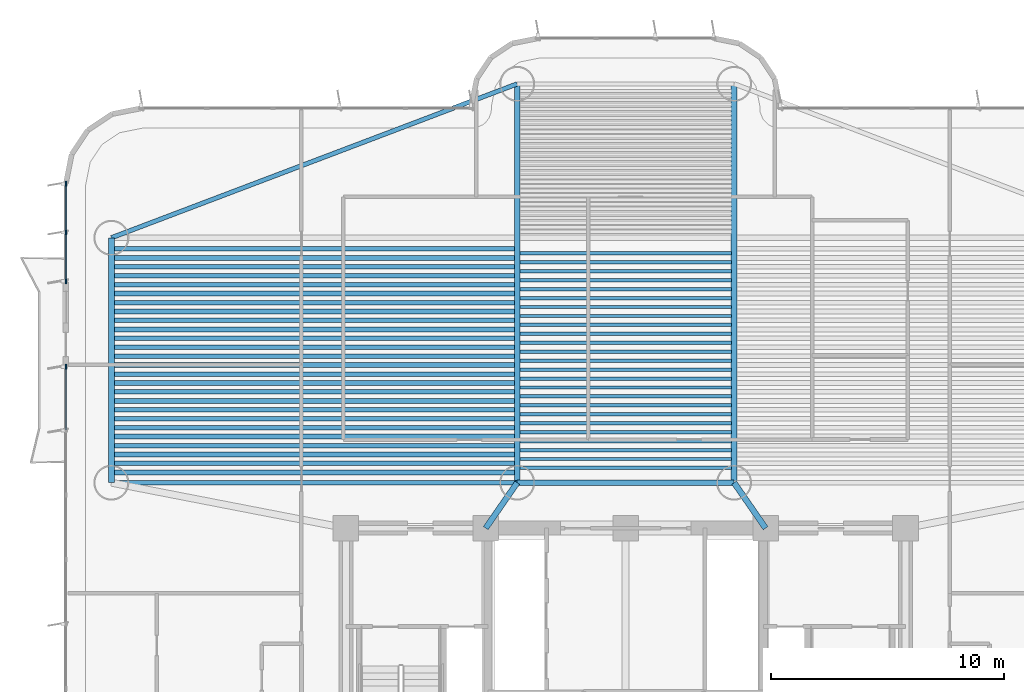
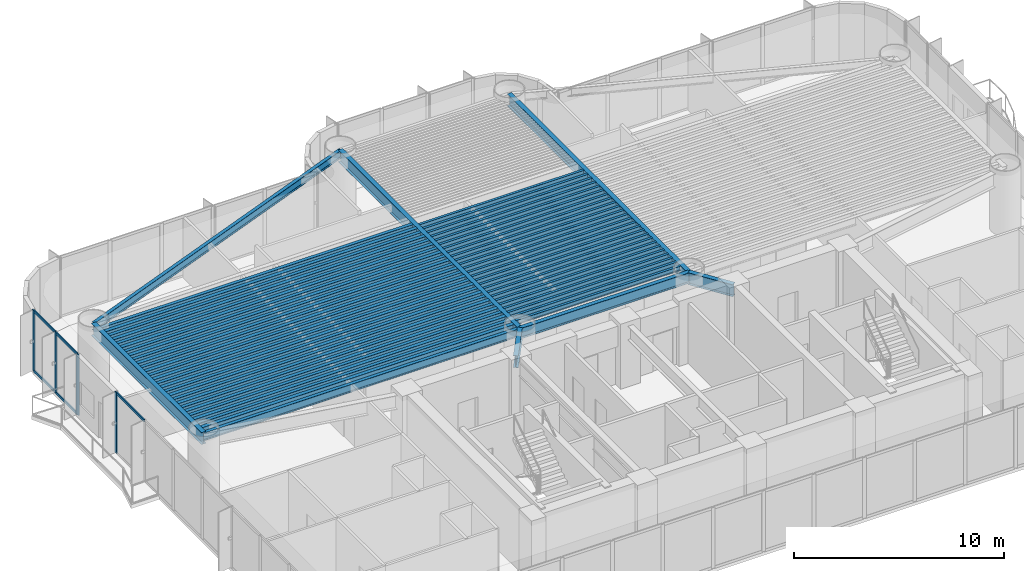
# One storey, part 3 of 17: 59 beams, 9 members, 2 elements without a shape of their own.
"""IFC4 building model written with IfcOpenShell, lengths in metres."""

from ifc_helpers import new_model, si_unit, direction, frame, origin, origin_2d, place, context, subcontext, project, spatial, rectangle, i_section, extrude, source, transform, mapped, material, layer, layer_set, material_profile, profile_set, type_object, element, aggregate, save


model = new_model("IFC4")

# Units and contexts
model_context = context("Model", 3, precision=1e-05, world=origin(), true_north=direction((0.0, 1.0)))
body_context = subcontext(model_context, "Body", "Model", "MODEL_VIEW")
ifc_project = project(units=[si_unit("LENGTHUNIT", "METRE"), si_unit("AREAUNIT", "SQUARE_METRE"), si_unit("VOLUMEUNIT", "CUBIC_METRE"), si_unit("PLANEANGLEUNIT", "RADIAN"), si_unit("MASSUNIT", "GRAM", prefix="KILO")], contexts=[model_context])

# Site, building, storey
site_placement = place(None, origin())
site = spatial("IfcSite", under=ifc_project, at=site_placement, CompositionType="ELEMENT")
building_placement = place(site_placement, origin())
building = spatial("IfcBuilding", under=site, at=building_placement, Name="Brelvock Crest Care Tower", CompositionType="ELEMENT")
storey_placement = place(building_placement, frame((0.0, 0.0, 49.679931640625)))
storey = spatial("IfcBuildingStorey", under=building, at=storey_placement, Name="L12", CompositionType="ELEMENT", Elevation=49.679931640625)

# Beams
ifc_material_1 = material(Name="Steel Grade 350", Category="steel")
ifc_material_profile_1 = material_profile(ifc_material_1, i_section(OverallWidth=0.25, OverallDepth=0.699951171875, WebThickness=0.011962890625, FlangeThickness=0.02001953125, at=origin_2d()), Name="700WB150")
ifc_profile_set_1 = profile_set([ifc_material_profile_1], Name="Steel Grade 350")
beam_type_1 = type_object("IfcBeamType", Name="BM-G4", PredefinedType="BEAM", material=ifc_profile_set_1)
shared_shape_1 = source(origin(), body_context, "Body", "SweptSolid", [
    extrude(i_section(OverallWidth=0.25, OverallDepth=0.699951171875, WebThickness=0.011962890625, FlangeThickness=0.02001953125, at=origin_2d()), origin(), (0.0, 0.0, 1.0), 10.5),
])
beam_1_placement = place(storey_placement, frame((13.949951171875, 19.949951171875, 3.18017578125), z_axis=(0.0, 1.0, 0.0), x_axis=(-1.0, 0.0, 0.0)))
element("IfcBeam", 1, at=beam_1_placement, inside=storey, type_object=beam_type_1, Name="BM-TWR-L12-01", PredefinedType="BEAM", context=body_context, shape_type="MappedRepresentation", body=[
    mapped(shared_shape_1, transform((0.0, 0.0, 0.0), x_axis=(1.0, 0.0, 0.0), y_axis=(0.0, 1.0, 0.0), z_axis=(0.0, 0.0, 1.0), scale=1.0)),
])
ifc_material_profile_2 = material_profile(ifc_material_1, i_section(OverallWidth=0.19091796875, OverallDepth=0.4599609375, WebThickness=0.010009765625, FlangeThickness=0.01611328125, FilletRadius=0.011474609375, at=origin_2d()), Name="460UB82.1")
ifc_profile_set_2 = profile_set([ifc_material_profile_2], Name="Steel Grade 350")
beam_type_2 = type_object("IfcBeamType", Name="BM-SP2", PredefinedType="SPANDREL", material=ifc_profile_set_2)
shared_shape_2 = source(origin(), body_context, "Body", "SweptSolid", [
    extrude(i_section(OverallWidth=0.19091796875, OverallDepth=0.4599609375, WebThickness=0.010009765625, FlangeThickness=0.01611328125, FilletRadius=0.011474609375, at=origin_2d()), origin(), (0.0, 0.0, 1.0), 17.400146484375),
])
beam_2_placement = place(storey_placement, frame((13.949951171875, 19.949951171875, 3.300048828125), z_axis=(1.0, 0.0, 0.0), x_axis=(0.0, 1.0, 0.0)))
element("IfcBeam", 2, at=beam_2_placement, inside=storey, type_object=beam_type_2, Name="BM-TWR-L12-03", PredefinedType="SPANDREL", context=body_context, shape_type="MappedRepresentation", body=[
    mapped(shared_shape_2, transform((0.0, 0.0, 0.0), x_axis=(1.0, 0.0, 0.0), y_axis=(0.0, 1.0, 0.0), z_axis=(0.0, 0.0, 1.0), scale=1.0)),
])
ifc_material_profile_3 = material_profile(ifc_material_1, i_section(OverallWidth=0.22900390625, OverallDepth=0.612060546875, WebThickness=0.011962890625, FlangeThickness=0.01953125, FilletRadius=0.013916015625, at=origin_2d()), Name="610UB125")
ifc_profile_set_3 = profile_set([ifc_material_profile_3], Name="Steel Grade 350")
beam_type_3 = type_object("IfcBeamType", Name="BM-G1", PredefinedType="BEAM", material=ifc_profile_set_3)
shared_shape_3 = source(origin(), body_context, "Body", "SweptSolid", [
    extrude(i_section(OverallWidth=0.22900390625, OverallDepth=0.612060546875, WebThickness=0.011962890625, FlangeThickness=0.01953125, FilletRadius=0.013916015625, at=origin_2d()), origin(), (0.0, 0.0, 1.0), 9.2998046875),
])
beam_3_placement = place(storey_placement, frame((31.35009765625, 19.949951171875, 3.22412109375), z_axis=(1.0, 0.0, 0.0), x_axis=(0.0, 1.0, 0.0)))
element("IfcBeam", 3, at=beam_3_placement, inside=storey, type_object=beam_type_3, Name="BM-TWR-L12-05", PredefinedType="BEAM", context=body_context, shape_type="MappedRepresentation", body=[
    mapped(shared_shape_3, transform((0.0, 0.0, 0.0), x_axis=(1.0, 0.0, 0.0), y_axis=(0.0, 1.0, 0.0), z_axis=(0.0, 0.0, 1.0), scale=1.0)),
])
shared_shape_4 = source(origin(), body_context, "Body", "SweptSolid", [
    extrude(i_section(OverallWidth=0.19091796875, OverallDepth=0.4599609375, WebThickness=0.010009765625, FlangeThickness=0.01611328125, FilletRadius=0.011474609375, at=origin_2d()), origin(), (0.0, 0.0, 1.0), 18.60986328125),
])
beam_4_placement = place(storey_placement, frame((13.949951171875, 30.449951171875, 3.300048828125), z_axis=(0.934996776275, 0.3546562115, 0.0), x_axis=(-0.3546562115, 0.934996776275, 0.0)))
element("IfcBeam", 4, at=beam_4_placement, inside=storey, type_object=beam_type_2, Name="BM-TWR-L12-06", PredefinedType="SPANDREL", context=body_context, shape_type="MappedRepresentation", body=[
    mapped(shared_shape_4, transform((0.0, 0.0, 0.0), x_axis=(1.0, 0.0, 0.0), y_axis=(0.0, 1.0, 0.0), z_axis=(0.0, 0.0, 1.0), scale=1.0)),
])
shared_shape_5 = source(origin(), body_context, "Body", "SweptSolid", [
    extrude(i_section(OverallWidth=0.25, OverallDepth=0.699951171875, WebThickness=0.011962890625, FlangeThickness=0.02001953125, at=origin_2d()), origin(), (0.0, 0.0, 1.0), 17.10009765625),
])
for number, where, z_axis, x_axis, name in (
    (5, (31.35009765625, 19.949951171875, 3.18017578125), (0.0, 1.0, 0.0), (-1.0, 0.0, 0.0), "BM-TWR-L12-09"),
    (6, (40.64990234375, 19.949951171875, 3.18017578125), (0.0, 1.0, 0.0), (-1.0, 0.0, 0.0), "BM-TWR-L12-10"),
):
    element("IfcBeam", number, at=place(storey_placement, frame(where, z_axis=z_axis, x_axis=x_axis)), inside=storey, type_object=beam_type_1, Name=name, PredefinedType="BEAM", context=body_context, shape_type="MappedRepresentation", body=[
        mapped(shared_shape_5, transform((0.0, 0.0, 0.0), x_axis=(1.0, 0.0, 0.0), y_axis=(0.0, 1.0, 0.0), z_axis=(0.0, 0.0, 1.0), scale=1.0)),
    ])
shared_shape_6 = source(origin(), body_context, "Body", "SweptSolid", [
    extrude(i_section(OverallWidth=0.25, OverallDepth=0.699951171875, WebThickness=0.011962890625, FlangeThickness=0.02001953125, at=origin_2d()), origin(), (0.0, 0.0, 1.0), 2.371826171875),
])
for number, where, z_axis, x_axis, name in (
    (7, (30.0, 18.0, 3.18017578125), (0.569247447691, 0.8221662504, 0.0), (-0.8221662504, 0.569247447691, 0.0), "BM-THRW-L12"),
    (8, (42.0, 18.0, 3.18017578125), (-0.569247447691, 0.8221662504, 0.0), (-0.8221662504, -0.569247447691, 0.0), "BM-THRE-L12"),
):
    element("IfcBeam", number, at=place(storey_placement, frame(where, z_axis=z_axis, x_axis=x_axis)), inside=storey, type_object=beam_type_1, Name=name, PredefinedType="BEAM", context=body_context, shape_type="MappedRepresentation", body=[
        mapped(shared_shape_6, transform((0.0, 0.0, 0.0), x_axis=(1.0, 0.0, 0.0), y_axis=(0.0, 1.0, 0.0), z_axis=(0.0, 0.0, 1.0), scale=1.0)),
    ])
ifc_material_profile_4 = material_profile(ifc_material_1, i_section(OverallWidth=0.208984375, OverallDepth=0.532958984375, WebThickness=0.01025390625, FlangeThickness=0.015625, FilletRadius=0.013916015625, at=origin_2d()), Name="530UB92.4")
ifc_profile_set_4 = profile_set([ifc_material_profile_4], Name="Steel Grade 350")
beam_type_4 = type_object("IfcBeamType", Name="BM-G2", PredefinedType="BEAM", material=ifc_profile_set_4)
shared_shape_7 = source(origin(), body_context, "Body", "SweptSolid", [
    extrude(i_section(OverallWidth=0.208984375, OverallDepth=0.532958984375, WebThickness=0.01025390625, FlangeThickness=0.015625, FilletRadius=0.013916015625, at=origin_2d()), origin(), (0.0, 0.0, 1.0), 17.170166015625),
])
for number, where, z_axis, x_axis, name in (
    (9, (14.06494140625, 20.39111328125, 3.263671875), (1.0, 0.0, 0.0), (0.0, 1.0, 0.0), "BM-JW-L12-1"),
    (10, (14.06494140625, 21.157470703125, 3.263671875), (1.0, 0.0, 0.0), (0.0, 1.0, 0.0), "BM-JW-L12-3"),
    (11, (14.06494140625, 21.924072265625, 3.263671875), (1.0, 0.0, 0.0), (0.0, 1.0, 0.0), "BM-JW-L12-5"),
    (12, (14.06494140625, 22.6904296875, 3.263671875), (1.0, 0.0, 0.0), (0.0, 1.0, 0.0), "BM-JW-L12-7"),
    (13, (14.06494140625, 23.45703125, 3.263671875), (1.0, 0.0, 0.0), (0.0, 1.0, 0.0), "BM-JW-L12-9"),
    (14, (14.06494140625, 24.223388671875, 3.263671875), (1.0, 0.0, 0.0), (0.0, 1.0, 0.0), "BM-JW-L12-11"),
    (15, (14.06494140625, 24.989990234375, 3.263671875), (1.0, 0.0, 0.0), (0.0, 1.0, 0.0), "BM-JW-L12-13"),
    (16, (14.06494140625, 25.756591796875, 3.263671875), (1.0, 0.0, 0.0), (0.0, 1.0, 0.0), "BM-JW-L12-15"),
    (17, (14.06494140625, 26.52294921875, 3.263671875), (1.0, 0.0, 0.0), (0.0, 1.0, 0.0), "BM-JW-L12-17"),
    (18, (14.06494140625, 27.28955078125, 3.263671875), (1.0, 0.0, 0.0), (0.0, 1.0, 0.0), "BM-JW-L12-19"),
    (19, (14.06494140625, 28.055908203125, 3.263671875), (1.0, 0.0, 0.0), (0.0, 1.0, 0.0), "BM-JW-L12-21"),
    (20, (14.06494140625, 28.822509765625, 3.263671875), (1.0, 0.0, 0.0), (0.0, 1.0, 0.0), "BM-JW-L12-23"),
    (21, (14.06494140625, 29.589111328125, 3.263671875), (1.0, 0.0, 0.0), (0.0, 1.0, 0.0), "BM-JW-L12-25"),
):
    element("IfcBeam", number, at=place(storey_placement, frame(where, z_axis=z_axis, x_axis=x_axis)), inside=storey, type_object=beam_type_4, Name=name, PredefinedType="BEAM", context=body_context, shape_type="MappedRepresentation", body=[
        mapped(shared_shape_7, transform((0.0, 0.0, 0.0), x_axis=(1.0, 0.0, 0.0), y_axis=(0.0, 1.0, 0.0), z_axis=(0.0, 0.0, 1.0), scale=1.0)),
    ])
ifc_material_profile_5 = material_profile(ifc_material_1, i_section(OverallWidth=0.14599609375, OverallDepth=0.256103515625, WebThickness=0.00634765625, FlangeThickness=0.010986328125, FilletRadius=0.0087890625, at=origin_2d()), Name="250UB37.3")
ifc_profile_set_5 = profile_set([ifc_material_profile_5], Name="Steel Grade 350")
beam_type_5 = type_object("IfcBeamType", Name="BM-J3", PredefinedType="JOIST", material=ifc_profile_set_5)
shared_shape_8 = source(origin(), body_context, "Body", "SweptSolid", [
    extrude(i_section(OverallWidth=0.14599609375, OverallDepth=0.256103515625, WebThickness=0.00634765625, FlangeThickness=0.010986328125, FilletRadius=0.0087890625, at=origin_2d()), origin(), (0.0, 0.0, 1.0), 9.06982421875),
])
for number, where, z_axis, x_axis, name in (
    (22, (31.465087890625, 20.58251953125, 3.402099609375), (1.0, 0.0, 0.0), (0.0, 1.0, 0.0), "BM-JH-L12-1"),
    (23, (31.465087890625, 20.9658203125, 3.402099609375), (1.0, 0.0, 0.0), (0.0, 1.0, 0.0), "BM-JH-L12-2"),
    (24, (31.465087890625, 21.34912109375, 3.402099609375), (1.0, 0.0, 0.0), (0.0, 1.0, 0.0), "BM-JH-L12-3"),
    (25, (31.465087890625, 21.732421875, 3.402099609375), (1.0, 0.0, 0.0), (0.0, 1.0, 0.0), "BM-JH-L12-4"),
    (26, (31.465087890625, 22.115478515625, 3.402099609375), (1.0, 0.0, 0.0), (0.0, 1.0, 0.0), "BM-JH-L12-5"),
    (27, (31.465087890625, 22.498779296875, 3.402099609375), (1.0, 0.0, 0.0), (0.0, 1.0, 0.0), "BM-JH-L12-6"),
    (28, (31.465087890625, 22.882080078125, 3.402099609375), (1.0, 0.0, 0.0), (0.0, 1.0, 0.0), "BM-JH-L12-7"),
    (29, (31.465087890625, 23.265380859375, 3.402099609375), (1.0, 0.0, 0.0), (0.0, 1.0, 0.0), "BM-JH-L12-8"),
    (30, (31.465087890625, 23.648681640625, 3.402099609375), (1.0, 0.0, 0.0), (0.0, 1.0, 0.0), "BM-JH-L12-9"),
    (31, (31.465087890625, 24.03173828125, 3.402099609375), (1.0, 0.0, 0.0), (0.0, 1.0, 0.0), "BM-JH-L12-10"),
    (32, (31.465087890625, 24.4150390625, 3.402099609375), (1.0, 0.0, 0.0), (0.0, 1.0, 0.0), "BM-JH-L12-11"),
    (33, (31.465087890625, 24.79833984375, 3.402099609375), (1.0, 0.0, 0.0), (0.0, 1.0, 0.0), "BM-JH-L12-12"),
    (34, (31.465087890625, 25.181640625, 3.402099609375), (1.0, 0.0, 0.0), (0.0, 1.0, 0.0), "BM-JH-L12-13"),
    (35, (31.465087890625, 25.564697265625, 3.402099609375), (1.0, 0.0, 0.0), (0.0, 1.0, 0.0), "BM-JH-L12-14"),
    (36, (31.465087890625, 25.947998046875, 3.402099609375), (1.0, 0.0, 0.0), (0.0, 1.0, 0.0), "BM-JH-L12-15"),
    (37, (31.465087890625, 26.331298828125, 3.402099609375), (1.0, 0.0, 0.0), (0.0, 1.0, 0.0), "BM-JH-L12-16"),
    (38, (31.465087890625, 26.714599609375, 3.402099609375), (1.0, 0.0, 0.0), (0.0, 1.0, 0.0), "BM-JH-L12-17"),
    (39, (31.465087890625, 27.097900390625, 3.402099609375), (1.0, 0.0, 0.0), (0.0, 1.0, 0.0), "BM-JH-L12-18"),
    (40, (31.465087890625, 27.481201171875, 3.402099609375), (1.0, 0.0, 0.0), (0.0, 1.0, 0.0), "BM-JH-L12-19"),
    (41, (31.465087890625, 27.864501953125, 3.402099609375), (1.0, 0.0, 0.0), (0.0, 1.0, 0.0), "BM-JH-L12-20"),
    (42, (31.465087890625, 28.24755859375, 3.402099609375), (1.0, 0.0, 0.0), (0.0, 1.0, 0.0), "BM-JH-L12-21"),
    (43, (31.465087890625, 28.630859375, 3.402099609375), (1.0, 0.0, 0.0), (0.0, 1.0, 0.0), "BM-JH-L12-22"),
    (44, (31.465087890625, 29.01416015625, 3.402099609375), (1.0, 0.0, 0.0), (0.0, 1.0, 0.0), "BM-JH-L12-23"),
    (45, (31.465087890625, 29.397216796875, 3.402099609375), (1.0, 0.0, 0.0), (0.0, 1.0, 0.0), "BM-JH-L12-24"),
    (46, (31.465087890625, 29.780517578125, 3.402099609375), (1.0, 0.0, 0.0), (0.0, 1.0, 0.0), "BM-JH-L12-25"),
):
    element("IfcBeam", number, at=place(storey_placement, frame(where, z_axis=z_axis, x_axis=x_axis)), inside=storey, type_object=beam_type_5, Name=name, PredefinedType="JOIST", context=body_context, shape_type="MappedRepresentation", body=[
        mapped(shared_shape_8, transform((0.0, 0.0, 0.0), x_axis=(1.0, 0.0, 0.0), y_axis=(0.0, 1.0, 0.0), z_axis=(0.0, 0.0, 1.0), scale=1.0)),
    ])
ifc_material_profile_6 = material_profile(ifc_material_1, i_section(OverallWidth=0.19091796875, OverallDepth=0.4599609375, WebThickness=0.010009765625, FlangeThickness=0.01611328125, FilletRadius=0.011474609375, at=origin_2d()), Name="460UB82.1")
ifc_profile_set_6 = profile_set([ifc_material_profile_6], Name="Steel Grade 350")
beam_type_6 = type_object("IfcBeamType", Name="BM-G3", PredefinedType="BEAM", material=ifc_profile_set_6)
shared_shape_9 = source(origin(), body_context, "Body", "SweptSolid", [
    extrude(i_section(OverallWidth=0.19091796875, OverallDepth=0.4599609375, WebThickness=0.010009765625, FlangeThickness=0.01611328125, FilletRadius=0.011474609375, at=origin_2d()), origin(), (0.0, 0.0, 1.0), 17.170166015625),
])
for number, where, z_axis, x_axis, name in (
    (47, (14.06494140625, 20.774169921875, 3.300048828125), (1.0, 0.0, 0.0), (0.0, 1.0, 0.0), "BM-JW-L12-2"),
    (48, (14.06494140625, 21.540771484375, 3.300048828125), (1.0, 0.0, 0.0), (0.0, 1.0, 0.0), "BM-JW-L12-4"),
    (49, (14.06494140625, 22.30712890625, 3.300048828125), (1.0, 0.0, 0.0), (0.0, 1.0, 0.0), "BM-JW-L12-6"),
    (50, (14.06494140625, 23.07373046875, 3.300048828125), (1.0, 0.0, 0.0), (0.0, 1.0, 0.0), "BM-JW-L12-8"),
    (51, (14.06494140625, 23.840087890625, 3.300048828125), (1.0, 0.0, 0.0), (0.0, 1.0, 0.0), "BM-JW-L12-10"),
    (52, (14.06494140625, 24.606689453125, 3.300048828125), (1.0, 0.0, 0.0), (0.0, 1.0, 0.0), "BM-JW-L12-12"),
    (53, (14.06494140625, 25.373291015625, 3.300048828125), (1.0, 0.0, 0.0), (0.0, 1.0, 0.0), "BM-JW-L12-14"),
    (54, (14.06494140625, 26.1396484375, 3.300048828125), (1.0, 0.0, 0.0), (0.0, 1.0, 0.0), "BM-JW-L12-16"),
    (55, (14.06494140625, 26.90625, 3.300048828125), (1.0, 0.0, 0.0), (0.0, 1.0, 0.0), "BM-JW-L12-18"),
    (56, (14.06494140625, 27.6728515625, 3.300048828125), (1.0, 0.0, 0.0), (0.0, 1.0, 0.0), "BM-JW-L12-20"),
    (57, (14.06494140625, 28.439208984375, 3.300048828125), (1.0, 0.0, 0.0), (0.0, 1.0, 0.0), "BM-JW-L12-22"),
    (58, (14.06494140625, 29.205810546875, 3.300048828125), (1.0, 0.0, 0.0), (0.0, 1.0, 0.0), "BM-JW-L12-24"),
    (59, (14.06494140625, 29.97216796875, 3.300048828125), (1.0, 0.0, 0.0), (0.0, 1.0, 0.0), "BM-JW-L12-26"),
):
    element("IfcBeam", number, at=place(storey_placement, frame(where, z_axis=z_axis, x_axis=x_axis)), inside=storey, type_object=beam_type_6, Name=name, PredefinedType="BEAM", context=body_context, shape_type="MappedRepresentation", body=[
        mapped(shared_shape_9, transform((0.0, 0.0, 0.0), x_axis=(1.0, 0.0, 0.0), y_axis=(0.0, 1.0, 0.0), z_axis=(0.0, 0.0, 1.0), scale=1.0)),
    ])

# Curtain wall, member
ifc_material_2 = material(Name="Dark Glass Double Glazed Low-E", Category="glass")
ifc_layer = layer(ifc_material_2, 0.195068359375, Name="CWS-2")
ifc_layer_set = layer_set([ifc_layer], Name="Dark Glass Double Glazed Low-E")
curtain_wall_type = type_object("IfcCurtainWallType", Name="CWS-2", PredefinedType="NOTDEFINED", material=ifc_layer_set)
curtain_wall_1_placement = place(storey_placement, origin())
curtain_wall_1 = element("IfcCurtainWall", 60, at=curtain_wall_1_placement, inside=storey, type_object=curtain_wall_type, Name="L12 Curtain Wall E13A", PredefinedType="NOTDEFINED")
ifc_material_3 = material(Name="Aluminium 6063-T6", Category="aluminium")
ifc_material_profile_7 = material_profile(ifc_material_3, rectangle(XDim=0.06494140625, YDim=0.199951171875, at=origin_2d()), Name="ALU65x200")
ifc_profile_set_7 = profile_set([ifc_material_profile_7], Name="Aluminium 6063-T6")
member_type_1 = type_object("IfcMemberType", Name="CWM-1", PredefinedType="MULLION", material=ifc_profile_set_7)
shared_shape_10 = source(origin(), body_context, "Body", "SweptSolid", [
    extrude(rectangle(XDim=0.06494140625, YDim=0.199951171875, at=origin_2d()), origin(), (0.0, 0.0, 1.0), 3.530029296875),
])
member_1_placement = place(storey_placement, frame((12.0, 24.91748046875, 0.0), z_axis=(0.0, 0.0, 1.0), x_axis=(-1.0, 0.0, 0.0)))
member_1 = element("IfcMember", 61, at=member_1_placement, type_object=member_type_1, Name="CW-2 mullion 8", PredefinedType="MULLION", context=body_context, shape_type="MappedRepresentation", body=[
    mapped(shared_shape_10, transform((0.0, 0.0, 0.0), x_axis=(1.0, 0.0, 0.0), y_axis=(0.0, 1.0, 0.0), z_axis=(0.0, 0.0, 1.0), scale=1.0)),
])

# Curtain wall, members
curtain_wall_2_placement = place(storey_placement, origin())
curtain_wall_2 = element("IfcCurtainWall", 62, at=curtain_wall_2_placement, inside=storey, type_object=curtain_wall_type, Name="L12 Curtain Wall E13B", PredefinedType="NOTDEFINED")
member_2_placement = place(storey_placement, frame((12.0, 28.58251953125, 0.0), z_axis=(0.0, 0.0, 1.0), x_axis=(-1.0, 0.0, 0.0)))
member_2 = element("IfcMember", 63, at=member_2_placement, type_object=member_type_1, Name="CW-2 mullion 1", PredefinedType="MULLION", context=body_context, shape_type="MappedRepresentation", body=[
    mapped(shared_shape_10, transform((0.0, 0.0, 0.0), x_axis=(1.0, 0.0, 0.0), y_axis=(0.0, 1.0, 0.0), z_axis=(0.0, 0.0, 1.0), scale=1.0)),
])
member_3_placement = place(storey_placement, frame((12.0, 30.675048828125, 0.0), z_axis=(0.0, 0.0, 1.0), x_axis=(-1.0, 0.0, 0.0)))
member_3 = element("IfcMember", 64, at=member_3_placement, type_object=member_type_1, Name="CW-2 mullion 2", PredefinedType="MULLION", context=body_context, shape_type="MappedRepresentation", body=[
    mapped(shared_shape_10, transform((0.0, 0.0, 0.0), x_axis=(1.0, 0.0, 0.0), y_axis=(0.0, 1.0, 0.0), z_axis=(0.0, 0.0, 1.0), scale=1.0)),
])
member_4_placement = place(storey_placement, frame((12.0, 32.767578125, 0.0), z_axis=(0.0, 0.0, 1.0), x_axis=(-1.0, 0.0, 0.0)))
member_4 = element("IfcMember", 65, at=member_4_placement, type_object=member_type_1, Name="CW-2 mullion 3", PredefinedType="MULLION", context=body_context, shape_type="MappedRepresentation", body=[
    mapped(shared_shape_10, transform((0.0, 0.0, 0.0), x_axis=(1.0, 0.0, 0.0), y_axis=(0.0, 1.0, 0.0), z_axis=(0.0, 0.0, 1.0), scale=1.0)),
])
ifc_material_profile_8 = material_profile(ifc_material_3, rectangle(XDim=0.06494140625, YDim=0.14990234375, at=origin_2d()), Name="ALU65x150")
ifc_profile_set_8 = profile_set([ifc_material_profile_8], Name="Aluminium 6063-T6")
member_type_2 = type_object("IfcMemberType", Name="CWT-1", PredefinedType="USERDEFINED", material=ifc_profile_set_8)
shared_shape_11 = source(origin(), body_context, "Body", "SweptSolid", [
    extrude(rectangle(XDim=0.06494140625, YDim=0.14990234375, at=origin_2d()), origin(), (0.0, 0.0, 1.0), 2.027587890625),
])
member_5_placement = place(storey_placement, frame((12.0, 28.614990234375, 0.032470703125), z_axis=(0.0, 1.0, 0.0), x_axis=(-1.0, 0.0, 0.0)))
member_5 = element("IfcMember", 66, at=member_5_placement, type_object=member_type_2, Name="CW-2 transom 1.1", ObjectType="TRANSOM", PredefinedType="USERDEFINED", context=body_context, shape_type="MappedRepresentation", body=[
    mapped(shared_shape_11, transform((0.0, 0.0, 0.0), x_axis=(1.0, 0.0, 0.0), y_axis=(0.0, 1.0, 0.0), z_axis=(0.0, 0.0, 1.0), scale=1.0)),
])
member_6_placement = place(storey_placement, frame((12.0, 28.614990234375, 3.49755859375), z_axis=(0.0, 1.0, 0.0), x_axis=(-1.0, 0.0, 0.0)))
member_6 = element("IfcMember", 67, at=member_6_placement, type_object=member_type_2, Name="CW-2 transom 1.2", ObjectType="TRANSOM", PredefinedType="USERDEFINED", context=body_context, shape_type="MappedRepresentation", body=[
    mapped(shared_shape_11, transform((0.0, 0.0, 0.0), x_axis=(1.0, 0.0, 0.0), y_axis=(0.0, 1.0, 0.0), z_axis=(0.0, 0.0, 1.0), scale=1.0)),
])
member_7_placement = place(storey_placement, frame((12.0, 30.70751953125, 0.032470703125), z_axis=(0.0, 1.0, 0.0), x_axis=(-1.0, 0.0, 0.0)))
member_7 = element("IfcMember", 68, at=member_7_placement, type_object=member_type_2, Name="CW-2 transom 2.1", ObjectType="TRANSOM", PredefinedType="USERDEFINED", context=body_context, shape_type="MappedRepresentation", body=[
    mapped(shared_shape_11, transform((0.0, 0.0, 0.0), x_axis=(1.0, 0.0, 0.0), y_axis=(0.0, 1.0, 0.0), z_axis=(0.0, 0.0, 1.0), scale=1.0)),
])
member_8_placement = place(storey_placement, frame((12.0, 30.70751953125, 3.49755859375), z_axis=(0.0, 1.0, 0.0), x_axis=(-1.0, 0.0, 0.0)))
member_8 = element("IfcMember", 69, at=member_8_placement, type_object=member_type_2, Name="CW-2 transom 2.2", ObjectType="TRANSOM", PredefinedType="USERDEFINED", context=body_context, shape_type="MappedRepresentation", body=[
    mapped(shared_shape_11, transform((0.0, 0.0, 0.0), x_axis=(1.0, 0.0, 0.0), y_axis=(0.0, 1.0, 0.0), z_axis=(0.0, 0.0, 1.0), scale=1.0)),
])
aggregate(curtain_wall_2, [member_2, member_3, member_4, member_5, member_6, member_7, member_8])

# Member
shared_shape_12 = source(origin(), body_context, "Body", "SweptSolid", [
    extrude(rectangle(XDim=0.06494140625, YDim=0.14990234375, at=origin_2d()), origin(), (0.0, 0.0, 1.0), 2.666748046875),
])
member_9_placement = place(storey_placement, frame((12.0, 22.21826171875, 3.49755859375), z_axis=(0.0, 1.0, 0.0), x_axis=(-1.0, 0.0, 0.0)))
member_9 = element("IfcMember", 70, at=member_9_placement, type_object=member_type_2, Name="CW-2 transom 7.2", ObjectType="TRANSOM", PredefinedType="USERDEFINED", context=body_context, shape_type="MappedRepresentation", body=[
    mapped(shared_shape_12, transform((0.0, 0.0, 0.0), x_axis=(1.0, 0.0, 0.0), y_axis=(0.0, 1.0, 0.0), z_axis=(0.0, 0.0, 1.0), scale=1.0)),
])

aggregate(curtain_wall_1, [member_1, member_9])

save(model, "model.ifc")
